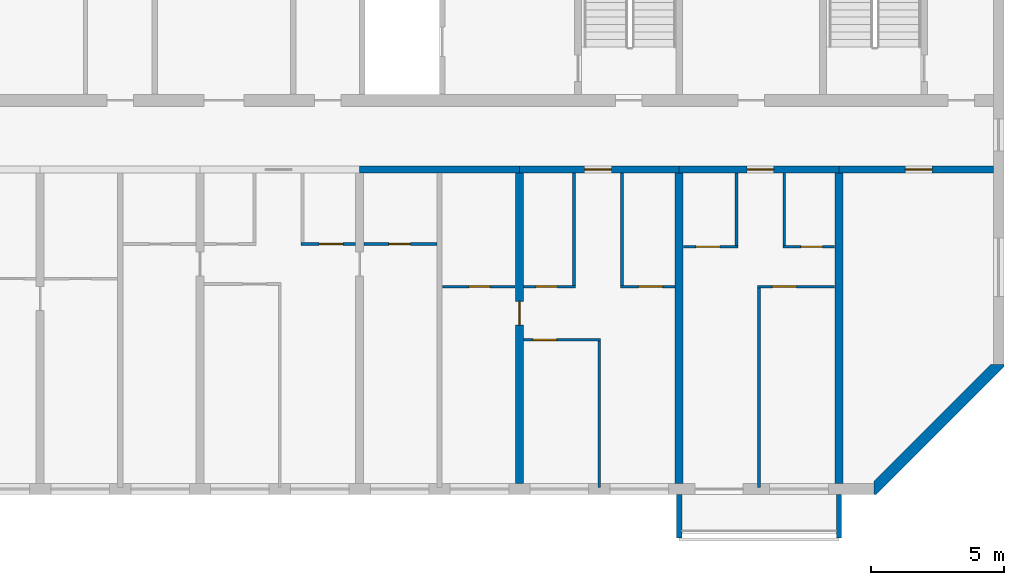
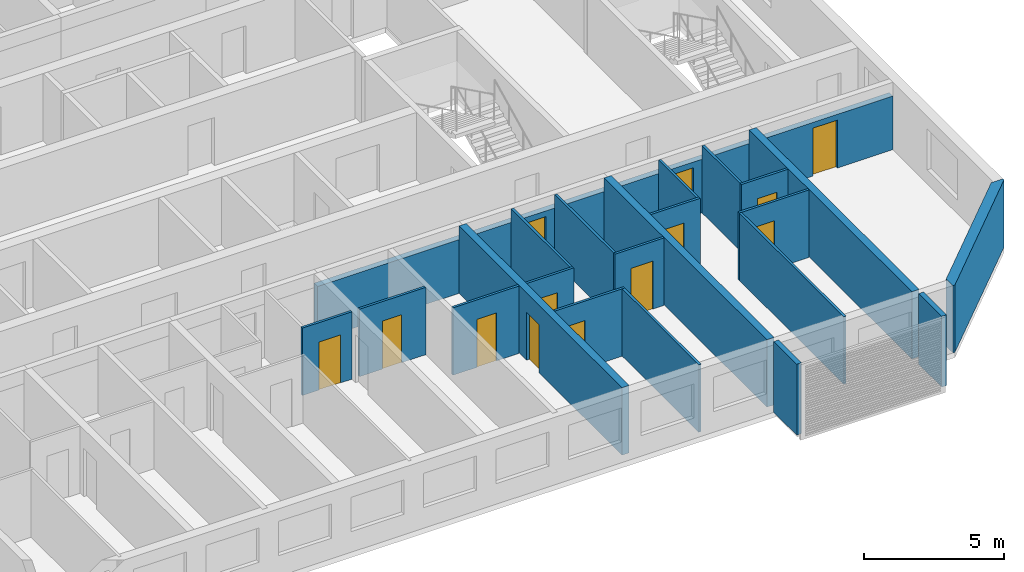
# One storey, part 5 of 26: 25 walls, 13 doors, 13 openings.
"""IFC4 building model written with IfcOpenShell, lengths in metres."""

from ifc_helpers import new_model, si_unit, direction, frame, frame_2d, origin, place, context, subcontext, project, spatial, polyline, rectangle, outline, extrude, source, transform, mapped, material, layer, layer_set, type_object, element, fill, save


model = new_model("IFC4")

# Units and contexts
model_context = context("Model", 3, precision=1e-05, world=origin(), true_north=direction((0.0, 1.0)))
body_context = subcontext(model_context, "Body", "Model", "MODEL_VIEW")
ifc_project = project(units=[si_unit("LENGTHUNIT", "METRE"), si_unit("AREAUNIT", "SQUARE_METRE"), si_unit("VOLUMEUNIT", "CUBIC_METRE"), si_unit("PLANEANGLEUNIT", "RADIAN"), si_unit("MASSUNIT", "GRAM", prefix="KILO")], contexts=[model_context])

# Site, building, storey
site_placement = place(None, origin())
site = spatial("IfcSite", under=ifc_project, at=site_placement, CompositionType="ELEMENT")
building_placement = place(site_placement, origin())
building = spatial("IfcBuilding", under=site, at=building_placement, Name="Poui Terraces", CompositionType="ELEMENT")
storey_placement = place(building_placement, frame((0.0, 0.0, 162.0)))
storey = spatial("IfcBuildingStorey", under=building, at=storey_placement, Name="L45", CompositionType="ELEMENT", Elevation=162.0)

# Wall
ifc_material_1 = material(Name="Concrete 65 MPa", Category="concrete")
ifc_layer_1 = layer(ifc_material_1, 0.25)
ifc_layer_set_1 = layer_set([ifc_layer_1], Name="Concrete 65 MPa")
wall_type_1 = type_object("IfcWallType", Name="CORRIDOR WALL 250 65MPa", PredefinedType="SHEAR", material=ifc_layer_set_1)
wall_1_placement = place(storey_placement, frame((60.0, 12.0, 0.0), z_axis=(0.0, 0.0, 1.0), x_axis=(1.0, 0.0, 0.0)))
element("IfcWall", 1, at=wall_1_placement, inside=storey, type_object=wall_type_1, Name="CORRIDOR WALL LINE B BAY 8", PredefinedType="SHEAR", context=body_context, shape_type="SweptSolid", body=[
    extrude(rectangle(XDim=6.0, YDim=0.25, at=frame_2d((3.0, 0.0))), origin(), (0.0, 0.0, 1.0), 2.35009765625),
])

# Wall, opening, door
wall_2_placement = place(storey_placement, frame((66.0, 12.0, 0.0), z_axis=(0.0, 0.0, 1.0), x_axis=(1.0, 0.0, 0.0)))
wall_2 = element("IfcWall", 2, at=wall_2_placement, inside=storey, type_object=wall_type_1, Name="CORRIDOR WALL LINE B BAY 9", PredefinedType="SHEAR", context=body_context, shape_type="SweptSolid", body=[
    extrude(rectangle(XDim=6.0, YDim=0.25, at=frame_2d((3.0, 0.0))), origin(), (0.0, 0.0, 1.0), 2.35009765625),
])
opening_1_placement = place(wall_2_placement, frame((2.449951171875, 0.0, 0.0)))
opening_1 = element("IfcOpeningElement", 3, at=opening_1_placement, cuts=wall_2, Name="Opening FD30S", PredefinedType="OPENING", context=body_context, shape_type="SweptSolid", body=[
    extrude(rectangle(XDim=1.0, YDim=2.10009765625, at=frame_2d((0.5, 1.050048828125))), frame((0.0, 0.135009765625, 0.0), z_axis=(0.0, -1.0, 0.0), x_axis=(1.0, 0.0, 0.0)), (0.0, 0.0, 1.0), 0.27001953125),
])
ifc_material_2 = material(Name="Steel fire door", Category="steel")
door_type_1 = type_object("IfcDoorType", Name="FLAT ENTRANCE DOOR 1000 X 2100", OperationType="NOTDEFINED", PredefinedType="DOOR", material=ifc_material_2)
door_1_placement = place(opening_1_placement, frame((1.0, 0.0, 0.0), z_axis=(0.0, 0.0, 1.0), x_axis=(-1.0, 0.0, 0.0)))
door_1 = element("IfcDoor", 4, at=door_1_placement, inside=storey, type_object=door_type_1, Name="FLAT ENTRANCE DOOR 088", OperationType="SINGLE_SWING_RIGHT", OverallHeight=2.10009765625, OverallWidth=1.0, PredefinedType="DOOR", context=body_context, shape_type="SweptSolid", body=[
    extrude(rectangle(XDim=1.0, YDim=2.10009765625, at=frame_2d((0.5, 1.050048828125))), frame((0.0, 0.02490234375, 0.0), z_axis=(0.0, -1.0, 0.0), x_axis=(1.0, 0.0, 0.0)), (0.0, 0.0, 1.0), 0.050048828125),
])
fill(opening_1, door_1)

wall_3_placement = place(storey_placement, frame((72.0, 12.0, 0.0), z_axis=(0.0, 0.0, 1.0), x_axis=(1.0, 0.0, 0.0)))
wall_3 = element("IfcWall", 5, at=wall_3_placement, inside=storey, type_object=wall_type_1, Name="CORRIDOR WALL LINE B BAY 10", PredefinedType="SHEAR", context=body_context, shape_type="SweptSolid", body=[
    extrude(rectangle(XDim=6.0, YDim=0.25, at=frame_2d((3.0, 0.0))), origin(), (0.0, 0.0, 1.0), 2.35009765625),
])
opening_2_placement = place(wall_3_placement, frame((2.550048828125, 0.0, 0.0)))
opening_2 = element("IfcOpeningElement", 6, at=opening_2_placement, cuts=wall_3, Name="Opening FD30S", PredefinedType="OPENING", context=body_context, shape_type="SweptSolid", body=[
    extrude(rectangle(XDim=1.0, YDim=2.10009765625, at=frame_2d((0.5, 1.050048828125))), frame((0.0, 0.135009765625, 0.0), z_axis=(0.0, -1.0, 0.0), x_axis=(1.0, 0.0, 0.0)), (0.0, 0.0, 1.0), 0.27001953125),
])
door_2_placement = place(opening_2_placement, frame((1.0, 0.0, 0.0), z_axis=(0.0, 0.0, 1.0), x_axis=(-1.0, 0.0, 0.0)))
door_2 = element("IfcDoor", 7, at=door_2_placement, inside=storey, type_object=door_type_1, Name="FLAT ENTRANCE DOOR 091", OperationType="SINGLE_SWING_LEFT", OverallHeight=2.10009765625, OverallWidth=1.0, PredefinedType="DOOR", context=body_context, shape_type="SweptSolid", body=[
    extrude(rectangle(XDim=1.0, YDim=2.10009765625, at=frame_2d((0.5, 1.050048828125))), frame((0.0, 0.02490234375, 0.0), z_axis=(0.0, -1.0, 0.0), x_axis=(1.0, 0.0, 0.0)), (0.0, 0.0, 1.0), 0.050048828125),
])
fill(opening_2, door_2)

wall_4_placement = place(storey_placement, frame((78.0, 12.0, 0.0), z_axis=(0.0, 0.0, 1.0), x_axis=(1.0, 0.0, 0.0)))
wall_4 = element("IfcWall", 8, at=wall_4_placement, inside=storey, type_object=wall_type_1, Name="CORRIDOR WALL LINE B BAY 11", PredefinedType="SHEAR", context=body_context, shape_type="SweptSolid", body=[
    extrude(rectangle(XDim=5.800048828125, YDim=0.25, at=frame_2d((2.89990234375, 0.0))), origin(), (0.0, 0.0, 1.0), 2.35009765625),
])
opening_3_placement = place(wall_4_placement, frame((2.5, 0.0, 0.0)))
opening_3 = element("IfcOpeningElement", 9, at=opening_3_placement, cuts=wall_4, Name="Opening D100", PredefinedType="OPENING", context=body_context, shape_type="SweptSolid", body=[
    extrude(rectangle(XDim=1.0, YDim=2.10009765625, at=frame_2d((0.5, 1.050048828125))), frame((0.0, 0.135009765625, 0.0), z_axis=(0.0, -1.0, 0.0), x_axis=(1.0, 0.0, 0.0)), (0.0, 0.0, 1.0), 0.27001953125),
])
ifc_material_3 = material(Name="Solid core timber door", Category="wood")
door_type_2 = type_object("IfcDoorType", Name="ACCESSIBLE INTERNAL DOOR 1000 X 2100", OperationType="NOTDEFINED", PredefinedType="DOOR", material=ifc_material_3)
door_3_placement = place(opening_3_placement, frame((1.0, 0.0, 0.0), z_axis=(0.0, 0.0, 1.0), x_axis=(-1.0, 0.0, 0.0)))
door_3 = element("IfcDoor", 10, at=door_3_placement, inside=storey, type_object=door_type_2, Name="ACCESSIBLE INTERNAL DOOR 094", OperationType="SINGLE_SWING_RIGHT", OverallHeight=2.10009765625, OverallWidth=1.0, PredefinedType="DOOR", context=body_context, shape_type="SweptSolid", body=[
    extrude(rectangle(XDim=1.0, YDim=2.10009765625, at=frame_2d((0.5, 1.050048828125))), frame((0.0, 0.02490234375, 0.0), z_axis=(0.0, -1.0, 0.0), x_axis=(1.0, 0.0, 0.0)), (0.0, 0.0, 1.0), 0.050048828125),
])
fill(opening_3, door_3)

ifc_layer_2 = layer(ifc_material_1, 0.300048828125)
ifc_layer_set_2 = layer_set([ifc_layer_2], Name="Concrete 65 MPa")
wall_type_2 = type_object("IfcWallType", Name="CROSS WALL 300 65MPa", PredefinedType="SHEAR", material=ifc_layer_set_2)
wall_5_placement = place(storey_placement, frame((66.0, 0.199951171875, 0.0), z_axis=(0.0, 0.0, 1.0), x_axis=(0.0, 1.0, 0.0)))
wall_5 = element("IfcWall", 11, at=wall_5_placement, inside=storey, type_object=wall_type_2, Name="CROSS WALL LINE 12 SOUTH", PredefinedType="SHEAR", context=body_context, shape_type="SweptSolid", body=[
    extrude(rectangle(XDim=11.675048828125, YDim=0.300048828125, at=frame_2d((5.83740234375, 0.0))), origin(), (0.0, 0.0, 1.0), 2.949951171875),
])
opening_4_placement = place(wall_5_placement, frame((5.949951171875, 0.0, 0.0)))
opening_4 = element("IfcOpeningElement", 12, at=opening_4_placement, cuts=wall_5, Name="Opening D90", PredefinedType="OPENING", context=body_context, shape_type="SweptSolid", body=[
    extrude(rectangle(XDim=0.89990234375, YDim=2.10009765625, at=frame_2d((0.449951171875, 1.050048828125))), frame((0.0, 0.16015625, 0.0), z_axis=(0.0, -1.0, 0.0), x_axis=(1.0, 0.0, 0.0)), (0.0, 0.0, 1.0), 0.320068359375),
])
door_type_3 = type_object("IfcDoorType", Name="INTERNAL DOOR 900 X 2100", OperationType="NOTDEFINED", PredefinedType="DOOR", material=ifc_material_3)
door_4_placement = place(opening_4_placement, origin())
door_4 = element("IfcDoor", 13, at=door_4_placement, inside=storey, type_object=door_type_3, Name="INTERNAL DOOR 085", OperationType="SINGLE_SWING_RIGHT", OverallHeight=2.10009765625, OverallWidth=0.89990234375, PredefinedType="DOOR", context=body_context, shape_type="SweptSolid", body=[
    extrude(rectangle(XDim=0.89990234375, YDim=2.10009765625, at=frame_2d((0.449951171875, 1.050048828125))), frame((0.0, 0.02490234375, 0.0), z_axis=(0.0, -1.0, 0.0), x_axis=(1.0, 0.0, 0.0)), (0.0, 0.0, 1.0), 0.050048828125),
])
fill(opening_4, door_4)

# Walls
for number, where, z_axis, x_axis, name in (
    (14, (72.0, 0.199951171875, 0.0), (0.0, 0.0, 1.0), (0.0, 1.0, 0.0), "CROSS WALL LINE 13 SOUTH"),
    (15, (78.0, 0.199951171875, 0.0), (0.0, 0.0, 1.0), (0.0, 1.0, 0.0), "CROSS WALL LINE 14 SOUTH"),
):
    element("IfcWall", number, at=place(storey_placement, frame(where, z_axis=z_axis, x_axis=x_axis)), inside=storey, type_object=wall_type_2, Name=name, PredefinedType="SHEAR", context=body_context, shape_type="SweptSolid", body=[
        extrude(rectangle(XDim=11.675048828125, YDim=0.300048828125, at=frame_2d((5.83740234375, 0.0))), origin(), (0.0, 0.0, 1.0), 2.949951171875),
    ])

# Wall, opening, door
ifc_material_4 = material(Name="Plasterboard partition")
ifc_layer_3 = layer(ifc_material_4, 0.10009765625)
ifc_layer_set_3 = layer_set([ifc_layer_3], Name="Plasterboard partition")
wall_type_3 = type_object("IfcWallType", Name="FLAT PARTITION 100", PredefinedType="PARTITIONING", material=ifc_layer_set_3)
wall_6_placement = place(storey_placement, frame((66.159912109375, 5.60009765625, 0.0), z_axis=(0.0, 0.0, 1.0), x_axis=(1.0, 0.0, 0.0)))
wall_6 = element("IfcWall", 16, at=wall_6_placement, inside=storey, type_object=wall_type_3, Name="FLAT PARTITION 100", PredefinedType="PARTITIONING", context=body_context, shape_type="SweptSolid", body=[
    extrude(rectangle(XDim=2.89013671875, YDim=0.10009765625, at=frame_2d((1.445068359375, 0.0))), origin(), (0.0, 0.0, 1.0), 2.949951171875),
])
opening_5_placement = place(wall_6_placement, frame((0.340087890625, 0.0, 0.0)))
opening_5 = element("IfcOpeningElement", 17, at=opening_5_placement, cuts=wall_6, Name="Opening D90", PredefinedType="OPENING", context=body_context, shape_type="SweptSolid", body=[
    extrude(rectangle(XDim=0.89990234375, YDim=2.10009765625, at=frame_2d((0.449951171875, 1.050048828125))), frame((0.0, 0.06005859375, 0.0), z_axis=(0.0, -1.0, 0.0), x_axis=(1.0, 0.0, 0.0)), (0.0, 0.0, 1.0), 0.1201171875),
])
door_5_placement = place(opening_5_placement, origin())
door_5 = element("IfcDoor", 18, at=door_5_placement, inside=storey, type_object=door_type_3, Name="INTERNAL DOOR 086", OperationType="SINGLE_SWING_RIGHT", OverallHeight=2.10009765625, OverallWidth=0.89990234375, PredefinedType="DOOR", context=body_context, shape_type="SweptSolid", body=[
    extrude(rectangle(XDim=0.89990234375, YDim=2.10009765625, at=frame_2d((0.449951171875, 1.050048828125))), frame((0.0, 0.02490234375, 0.0), z_axis=(0.0, -1.0, 0.0), x_axis=(1.0, 0.0, 0.0)), (0.0, 0.0, 1.0), 0.050048828125),
])
fill(opening_5, door_5)

wall_7_placement = place(storey_placement, frame((63.10009765625, 7.60009765625, 0.0), z_axis=(0.0, 0.0, 1.0), x_axis=(1.0, 0.0, 0.0)))
wall_7 = element("IfcWall", 19, at=wall_7_placement, inside=storey, type_object=wall_type_3, Name="FLAT PARTITION 100", PredefinedType="PARTITIONING", context=body_context, shape_type="SweptSolid", body=[
    extrude(rectangle(XDim=2.739990234375, YDim=0.10009765625, at=frame_2d((1.3701171875, 0.0))), origin(), (0.0, 0.0, 1.0), 2.949951171875),
])
opening_6_placement = place(wall_7_placement, frame((1.0, 0.0, 0.0)))
opening_6 = element("IfcOpeningElement", 20, at=opening_6_placement, cuts=wall_7, Name="Opening D80", PredefinedType="OPENING", context=body_context, shape_type="SweptSolid", body=[
    extrude(rectangle(XDim=0.800048828125, YDim=2.10009765625, at=frame_2d((0.39990234375, 1.050048828125))), frame((0.0, 0.06005859375, 0.0), z_axis=(0.0, -1.0, 0.0), x_axis=(1.0, 0.0, 0.0)), (0.0, 0.0, 1.0), 0.1201171875),
])
door_type_4 = type_object("IfcDoorType", Name="BATHROOM, LAUNDRY AND STORE DOOR 800 X 2100", OperationType="NOTDEFINED", PredefinedType="DOOR", material=ifc_material_3)
door_6_placement = place(opening_6_placement, origin())
door_6 = element("IfcDoor", 21, at=door_6_placement, inside=storey, type_object=door_type_4, Name="BATHROOM, LAUNDRY AND STORE DOOR 084", OperationType="SINGLE_SWING_LEFT", OverallHeight=2.10009765625, OverallWidth=0.800048828125, PredefinedType="DOOR", context=body_context, shape_type="SweptSolid", body=[
    extrude(rectangle(XDim=0.800048828125, YDim=2.10009765625, at=frame_2d((0.39990234375, 1.050048828125))), frame((0.0, 0.02490234375, 0.0), z_axis=(0.0, -1.0, 0.0), x_axis=(1.0, 0.0, 0.0)), (0.0, 0.0, 1.0), 0.050048828125),
])
fill(opening_6, door_6)

wall_8_placement = place(storey_placement, frame((66.159912109375, 7.60009765625, 0.0), z_axis=(0.0, 0.0, 1.0), x_axis=(1.0, 0.0, 0.0)))
wall_8 = element("IfcWall", 22, at=wall_8_placement, inside=storey, type_object=wall_type_3, Name="FLAT PARTITION 100", PredefinedType="PARTITIONING", context=body_context, shape_type="SweptSolid", body=[
    extrude(rectangle(XDim=1.940185546875, YDim=0.10009765625, at=frame_2d((0.97021484375, 0.0))), origin(), (0.0, 0.0, 1.0), 2.949951171875),
])
opening_7_placement = place(wall_8_placement, frame((0.465087890625, 0.0, 0.0)))
opening_7 = element("IfcOpeningElement", 23, at=opening_7_placement, cuts=wall_8, Name="Opening D80", PredefinedType="OPENING", context=body_context, shape_type="SweptSolid", body=[
    extrude(rectangle(XDim=0.800048828125, YDim=2.10009765625, at=frame_2d((0.39990234375, 1.050048828125))), frame((0.0, 0.06005859375, 0.0), z_axis=(0.0, -1.0, 0.0), x_axis=(1.0, 0.0, 0.0)), (0.0, 0.0, 1.0), 0.1201171875),
])
door_7_placement = place(opening_7_placement, origin())
door_7 = element("IfcDoor", 24, at=door_7_placement, inside=storey, type_object=door_type_4, Name="BATHROOM, LAUNDRY AND STORE DOOR 087", OperationType="SINGLE_SWING_LEFT", OverallHeight=2.10009765625, OverallWidth=0.800048828125, PredefinedType="DOOR", context=body_context, shape_type="SweptSolid", body=[
    extrude(rectangle(XDim=0.800048828125, YDim=2.10009765625, at=frame_2d((0.39990234375, 1.050048828125))), frame((0.0, 0.02490234375, 0.0), z_axis=(0.0, -1.0, 0.0), x_axis=(1.0, 0.0, 0.0)), (0.0, 0.0, 1.0), 0.050048828125),
])
fill(opening_7, door_7)

wall_9_placement = place(storey_placement, frame((69.800048828125, 7.60009765625, 0.0), z_axis=(0.0, 0.0, 1.0), x_axis=(1.0, 0.0, 0.0)))
wall_9 = element("IfcWall", 25, at=wall_9_placement, inside=storey, type_object=wall_type_3, Name="FLAT PARTITION 100", PredefinedType="PARTITIONING", context=body_context, shape_type="SweptSolid", body=[
    extrude(rectangle(XDim=2.0400390625, YDim=0.10009765625, at=frame_2d((1.02001953125, 0.0))), origin(), (0.0, 0.0, 1.0), 2.949951171875),
])
opening_8_placement = place(wall_9_placement, frame((0.675048828125, 0.0, 0.0)))
opening_8 = element("IfcOpeningElement", 26, at=opening_8_placement, cuts=wall_9, Name="Opening D90", PredefinedType="OPENING", context=body_context, shape_type="SweptSolid", body=[
    extrude(rectangle(XDim=0.89990234375, YDim=2.10009765625, at=frame_2d((0.449951171875, 1.050048828125))), frame((0.0, 0.06005859375, 0.0), z_axis=(0.0, -1.0, 0.0), x_axis=(1.0, 0.0, 0.0)), (0.0, 0.0, 1.0), 0.1201171875),
])
door_8_placement = place(opening_8_placement, origin())
door_8 = element("IfcDoor", 27, at=door_8_placement, inside=storey, type_object=door_type_3, Name="INTERNAL DOOR 089", OperationType="SINGLE_SWING_RIGHT", OverallHeight=2.10009765625, OverallWidth=0.89990234375, PredefinedType="DOOR", context=body_context, shape_type="SweptSolid", body=[
    extrude(rectangle(XDim=0.89990234375, YDim=2.10009765625, at=frame_2d((0.449951171875, 1.050048828125))), frame((0.0, 0.02490234375, 0.0), z_axis=(0.0, -1.0, 0.0), x_axis=(1.0, 0.0, 0.0)), (0.0, 0.0, 1.0), 0.050048828125),
])
fill(opening_8, door_8)

wall_10_placement = place(storey_placement, frame((74.949951171875, 7.60009765625, 0.0), z_axis=(0.0, 0.0, 1.0), x_axis=(1.0, 0.0, 0.0)))
wall_10 = element("IfcWall", 28, at=wall_10_placement, inside=storey, type_object=wall_type_3, Name="FLAT PARTITION 100", PredefinedType="PARTITIONING", context=body_context, shape_type="SweptSolid", body=[
    extrude(rectangle(XDim=2.89013671875, YDim=0.10009765625, at=frame_2d((1.445068359375, 0.0))), origin(), (0.0, 0.0, 1.0), 2.949951171875),
])
opening_9_placement = place(wall_10_placement, frame((0.550048828125, 0.0, 0.0)))
opening_9 = element("IfcOpeningElement", 29, at=opening_9_placement, cuts=wall_10, Name="Opening D90", PredefinedType="OPENING", context=body_context, shape_type="SweptSolid", body=[
    extrude(rectangle(XDim=0.89990234375, YDim=2.10009765625, at=frame_2d((0.449951171875, 1.050048828125))), frame((0.0, 0.06005859375, 0.0), z_axis=(0.0, -1.0, 0.0), x_axis=(1.0, 0.0, 0.0)), (0.0, 0.0, 1.0), 0.1201171875),
])
door_9_placement = place(opening_9_placement, origin())
door_9 = element("IfcDoor", 30, at=door_9_placement, inside=storey, type_object=door_type_3, Name="INTERNAL DOOR 092", OperationType="SINGLE_SWING_RIGHT", OverallHeight=2.10009765625, OverallWidth=0.89990234375, PredefinedType="DOOR", context=body_context, shape_type="SweptSolid", body=[
    extrude(rectangle(XDim=0.89990234375, YDim=2.10009765625, at=frame_2d((0.449951171875, 1.050048828125))), frame((0.0, 0.02490234375, 0.0), z_axis=(0.0, -1.0, 0.0), x_axis=(1.0, 0.0, 0.0)), (0.0, 0.0, 1.0), 0.050048828125),
])
fill(opening_9, door_9)

wall_11_placement = place(storey_placement, frame((72.159912109375, 9.10009765625, 0.0), z_axis=(0.0, 0.0, 1.0), x_axis=(1.0, 0.0, 0.0)))
wall_11 = element("IfcWall", 31, at=wall_11_placement, inside=storey, type_object=wall_type_3, Name="FLAT PARTITION 100", PredefinedType="PARTITIONING", context=body_context, shape_type="SweptSolid", body=[
    extrude(rectangle(XDim=2.0400390625, YDim=0.10009765625, at=frame_2d((1.02001953125, 0.0))), origin(), (0.0, 0.0, 1.0), 2.949951171875),
])
opening_10_placement = place(wall_11_placement, frame((0.465087890625, 0.0, 0.0)))
opening_10 = element("IfcOpeningElement", 32, at=opening_10_placement, cuts=wall_11, Name="Opening D90", PredefinedType="OPENING", context=body_context, shape_type="SweptSolid", body=[
    extrude(rectangle(XDim=0.89990234375, YDim=2.10009765625, at=frame_2d((0.449951171875, 1.050048828125))), frame((0.0, 0.06005859375, 0.0), z_axis=(0.0, -1.0, 0.0), x_axis=(1.0, 0.0, 0.0)), (0.0, 0.0, 1.0), 0.1201171875),
])
door_10_placement = place(opening_10_placement, origin())
door_10 = element("IfcDoor", 33, at=door_10_placement, inside=storey, type_object=door_type_3, Name="INTERNAL DOOR 090", OperationType="SINGLE_SWING_RIGHT", OverallHeight=2.10009765625, OverallWidth=0.89990234375, PredefinedType="DOOR", context=body_context, shape_type="SweptSolid", body=[
    extrude(rectangle(XDim=0.89990234375, YDim=2.10009765625, at=frame_2d((0.449951171875, 1.050048828125))), frame((0.0, 0.02490234375, 0.0), z_axis=(0.0, -1.0, 0.0), x_axis=(1.0, 0.0, 0.0)), (0.0, 0.0, 1.0), 0.050048828125),
])
fill(opening_10, door_10)

wall_12_placement = place(storey_placement, frame((75.89990234375, 9.10009765625, 0.0), z_axis=(0.0, 0.0, 1.0), x_axis=(1.0, 0.0, 0.0)))
wall_12 = element("IfcWall", 34, at=wall_12_placement, inside=storey, type_object=wall_type_3, Name="FLAT PARTITION 100", PredefinedType="PARTITIONING", context=body_context, shape_type="SweptSolid", body=[
    extrude(rectangle(XDim=1.940185546875, YDim=0.10009765625, at=frame_2d((0.97021484375, 0.0))), origin(), (0.0, 0.0, 1.0), 2.949951171875),
])
opening_11_placement = place(wall_12_placement, frame((0.675048828125, 0.0, 0.0)))
opening_11 = element("IfcOpeningElement", 35, at=opening_11_placement, cuts=wall_12, Name="Opening D80", PredefinedType="OPENING", context=body_context, shape_type="SweptSolid", body=[
    extrude(rectangle(XDim=0.800048828125, YDim=2.10009765625, at=frame_2d((0.39990234375, 1.050048828125))), frame((0.0, 0.06005859375, 0.0), z_axis=(0.0, -1.0, 0.0), x_axis=(1.0, 0.0, 0.0)), (0.0, 0.0, 1.0), 0.1201171875),
])
door_11_placement = place(opening_11_placement, origin())
door_11 = element("IfcDoor", 36, at=door_11_placement, inside=storey, type_object=door_type_4, Name="BATHROOM, LAUNDRY AND STORE DOOR 093", OperationType="SINGLE_SWING_LEFT", OverallHeight=2.10009765625, OverallWidth=0.800048828125, PredefinedType="DOOR", context=body_context, shape_type="SweptSolid", body=[
    extrude(rectangle(XDim=0.800048828125, YDim=2.10009765625, at=frame_2d((0.39990234375, 1.050048828125))), frame((0.0, 0.02490234375, 0.0), z_axis=(0.0, -1.0, 0.0), x_axis=(1.0, 0.0, 0.0)), (0.0, 0.0, 1.0), 0.050048828125),
])
fill(opening_11, door_11)

wall_13_placement = place(storey_placement, frame((57.800048828125, 9.199951171875, 0.0), z_axis=(0.0, 0.0, 1.0), x_axis=(1.0, 0.0, 0.0)))
wall_13 = element("IfcWall", 37, at=wall_13_placement, inside=storey, type_object=wall_type_3, Name="FLAT PARTITION 100", PredefinedType="PARTITIONING", context=body_context, shape_type="SweptSolid", body=[
    extrude(rectangle(XDim=2.0400390625, YDim=0.10009765625, at=frame_2d((1.02001953125, 0.0))), origin(), (0.0, 0.0, 1.0), 2.949951171875),
])
opening_12_placement = place(wall_13_placement, frame((0.675048828125, 0.0, 0.0)))
opening_12 = element("IfcOpeningElement", 38, at=opening_12_placement, cuts=wall_13, Name="Opening D90", PredefinedType="OPENING", context=body_context, shape_type="SweptSolid", body=[
    extrude(rectangle(XDim=0.89990234375, YDim=2.10009765625, at=frame_2d((0.449951171875, 1.050048828125))), frame((0.0, 0.06005859375, 0.0), z_axis=(0.0, -1.0, 0.0), x_axis=(1.0, 0.0, 0.0)), (0.0, 0.0, 1.0), 0.1201171875),
])
door_12_placement = place(opening_12_placement, origin())
door_12 = element("IfcDoor", 39, at=door_12_placement, inside=storey, type_object=door_type_3, Name="INTERNAL DOOR 082", OperationType="SINGLE_SWING_LEFT", OverallHeight=2.10009765625, OverallWidth=0.89990234375, PredefinedType="DOOR", context=body_context, shape_type="SweptSolid", body=[
    extrude(rectangle(XDim=0.89990234375, YDim=2.10009765625, at=frame_2d((0.449951171875, 1.050048828125))), frame((0.0, 0.02490234375, 0.0), z_axis=(0.0, -1.0, 0.0), x_axis=(1.0, 0.0, 0.0)), (0.0, 0.0, 1.0), 0.050048828125),
])
fill(opening_12, door_12)

wall_14_placement = place(storey_placement, frame((60.159912109375, 9.199951171875, 0.0), z_axis=(0.0, 0.0, 1.0), x_axis=(1.0, 0.0, 0.0)))
wall_14 = element("IfcWall", 40, at=wall_14_placement, inside=storey, type_object=wall_type_3, Name="FLAT PARTITION 100", PredefinedType="PARTITIONING", context=body_context, shape_type="SweptSolid", body=[
    extrude(rectangle(XDim=2.739990234375, YDim=0.10009765625, at=frame_2d((1.3701171875, 0.0))), origin(), (0.0, 0.0, 1.0), 2.949951171875),
])
opening_13_placement = place(wall_14_placement, frame((0.93994140625, 0.0, 0.0)))
opening_13 = element("IfcOpeningElement", 41, at=opening_13_placement, cuts=wall_14, Name="Opening D80", PredefinedType="OPENING", context=body_context, shape_type="SweptSolid", body=[
    extrude(rectangle(XDim=0.800048828125, YDim=2.10009765625, at=frame_2d((0.39990234375, 1.050048828125))), frame((0.0, 0.06005859375, 0.0), z_axis=(0.0, -1.0, 0.0), x_axis=(1.0, 0.0, 0.0)), (0.0, 0.0, 1.0), 0.1201171875),
])
door_13_placement = place(opening_13_placement, origin())
door_13 = element("IfcDoor", 42, at=door_13_placement, inside=storey, type_object=door_type_4, Name="BATHROOM, LAUNDRY AND STORE DOOR 077", OperationType="SINGLE_SWING_RIGHT", OverallHeight=2.10009765625, OverallWidth=0.800048828125, PredefinedType="DOOR", context=body_context, shape_type="SweptSolid", body=[
    extrude(rectangle(XDim=0.800048828125, YDim=2.10009765625, at=frame_2d((0.39990234375, 1.050048828125))), frame((0.0, 0.02490234375, 0.0), z_axis=(0.0, -1.0, 0.0), x_axis=(1.0, 0.0, 0.0)), (0.0, 0.0, 1.0), 0.050048828125),
])
fill(opening_13, door_13)

# Walls
wall_15_placement = place(storey_placement, frame((68.050048828125, 7.64990234375, 0.0), z_axis=(0.0, 0.0, 1.0), x_axis=(0.0, 1.0, 0.0)))
element("IfcWall", 43, at=wall_15_placement, inside=storey, type_object=wall_type_3, Name="FLAT PARTITION 100", PredefinedType="PARTITIONING", context=body_context, shape_type="SweptSolid", body=[
    extrude(rectangle(XDim=4.215087890625, YDim=0.10009765625, at=frame_2d((2.107421875, 0.0))), origin(), (0.0, 0.0, 1.0), 2.949951171875),
])
wall_16_placement = place(storey_placement, frame((69.0, 0.06005859375, 0.0), z_axis=(0.0, 0.0, 1.0), x_axis=(0.0, 1.0, 0.0)))
element("IfcWall", 44, at=wall_16_placement, inside=storey, type_object=wall_type_3, Name="FLAT PARTITION 100", PredefinedType="PARTITIONING", context=body_context, shape_type="SweptSolid", body=[
    extrude(rectangle(XDim=5.489990234375, YDim=0.10009765625, at=frame_2d((2.7451171875, 0.0))), origin(), (0.0, 0.0, 1.0), 2.949951171875),
])
wall_17_placement = place(storey_placement, frame((69.85009765625, 7.64990234375, 0.0), z_axis=(0.0, 0.0, 1.0), x_axis=(0.0, 1.0, 0.0)))
element("IfcWall", 45, at=wall_17_placement, inside=storey, type_object=wall_type_3, Name="FLAT PARTITION 100", PredefinedType="PARTITIONING", context=body_context, shape_type="SweptSolid", body=[
    extrude(rectangle(XDim=4.215087890625, YDim=0.10009765625, at=frame_2d((2.107421875, 0.0))), origin(), (0.0, 0.0, 1.0), 2.949951171875),
])
wall_18_placement = place(storey_placement, frame((74.14990234375, 9.14990234375, 0.0), z_axis=(0.0, 0.0, 1.0), x_axis=(0.0, 1.0, 0.0)))
element("IfcWall", 46, at=wall_18_placement, inside=storey, type_object=wall_type_3, Name="FLAT PARTITION 100", PredefinedType="PARTITIONING", context=body_context, shape_type="SweptSolid", body=[
    extrude(rectangle(XDim=2.715087890625, YDim=0.10009765625, at=frame_2d((1.357421875, 0.0))), origin(), (0.0, 0.0, 1.0), 2.949951171875),
])
wall_19_placement = place(storey_placement, frame((75.0, 0.06005859375, 0.0), z_axis=(0.0, 0.0, 1.0), x_axis=(0.0, 1.0, 0.0)))
element("IfcWall", 47, at=wall_19_placement, inside=storey, type_object=wall_type_3, Name="FLAT PARTITION 100", PredefinedType="PARTITIONING", context=body_context, shape_type="SweptSolid", body=[
    extrude(rectangle(XDim=7.489990234375, YDim=0.10009765625, at=frame_2d((3.7451171875, 0.0))), origin(), (0.0, 0.0, 1.0), 2.949951171875),
])
wall_20_placement = place(storey_placement, frame((75.949951171875, 9.14990234375, 0.0), z_axis=(0.0, 0.0, 1.0), x_axis=(0.0, 1.0, 0.0)))
element("IfcWall", 48, at=wall_20_placement, inside=storey, type_object=wall_type_3, Name="FLAT PARTITION 100", PredefinedType="PARTITIONING", context=body_context, shape_type="SweptSolid", body=[
    extrude(rectangle(XDim=2.715087890625, YDim=0.10009765625, at=frame_2d((1.357421875, 0.0))), origin(), (0.0, 0.0, 1.0), 2.949951171875),
])
ifc_material_5 = material(Name="Precast concrete 40 MPa", Category="concrete")
ifc_layer_4 = layer(ifc_material_5, 0.39990234375)
ifc_layer_set_4 = layer_set([ifc_layer_4], Name="Precast concrete 40 MPa")
wall_type_4 = type_object("IfcWallType", Name="TERRACOTTA CLAD CHAMFER WALL 400", PredefinedType="STANDARD", material=ifc_layer_set_4)
wall_21_placement = place(storey_placement, origin())
element("IfcWall", 49, at=wall_21_placement, inside=storey, type_object=wall_type_4, Name="CHAMFER WALL CH01", PredefinedType="STANDARD", context=body_context, shape_type="SweptSolid", body=[
    extrude(outline(polyline([(79.317138671875, -0.199951171875), (79.39990234375, -0.199951171875), (84.199951171875, 4.60009765625), (84.199951171875, 4.682861328125), (83.71728515625, 4.682861328125), (79.317138671875, 0.28271484375), (79.317138671875, -0.199951171875)])), origin(), (0.0, 0.0, 1.0), 2.949951171875),
])
ifc_layer_5 = layer(ifc_material_5, 0.199951171875)
ifc_layer_set_5 = layer_set([ifc_layer_5], Name="Precast concrete 40 MPa")
wall_type_5 = type_object("IfcWallType", Name="REAR FIN 200", PredefinedType="STANDARD", material=ifc_layer_set_5)
shared_shape = source(origin(), body_context, "Body", "SweptSolid", [
    extrude(outline(polyline([(0.0, 0.0), (0.2001953125, 0.0), (0.2001953125, 1.650146484375), (0.0, 1.650146484375), (0.0, 0.0)])), origin(), (0.0, 0.0, 1.0), 3.10009765625),
])
for number, where, name in (
    (50, (71.89990234375, -1.85009765625, 0.0), "REAR FIN"),
    (51, (77.89990234375, -1.85009765625, 0.0), "REAR FIN"),
):
    element("IfcWall", number, at=place(storey_placement, frame(where)), inside=storey, type_object=wall_type_5, Name=name, PredefinedType="STANDARD", context=body_context, shape_type="MappedRepresentation", body=[
        mapped(shared_shape, transform((0.0, 0.0, 0.0))),
    ])

save(model, "model.ifc")
